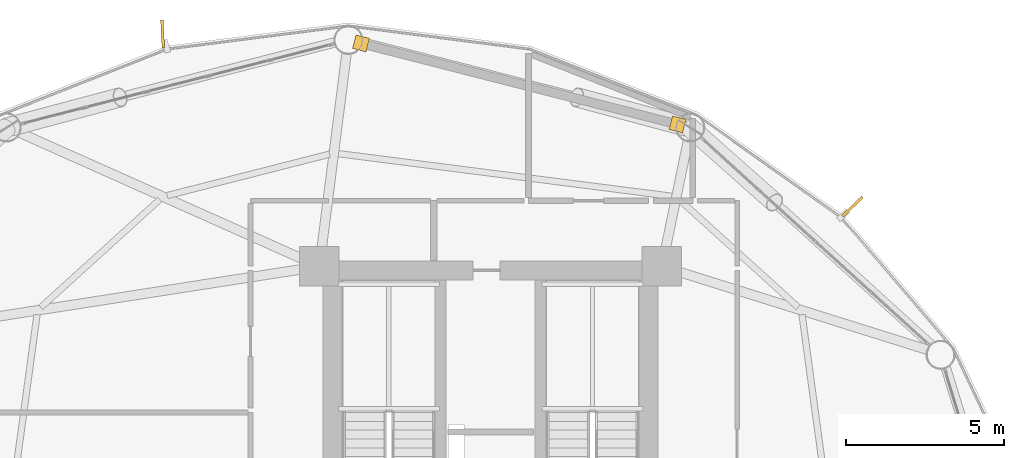
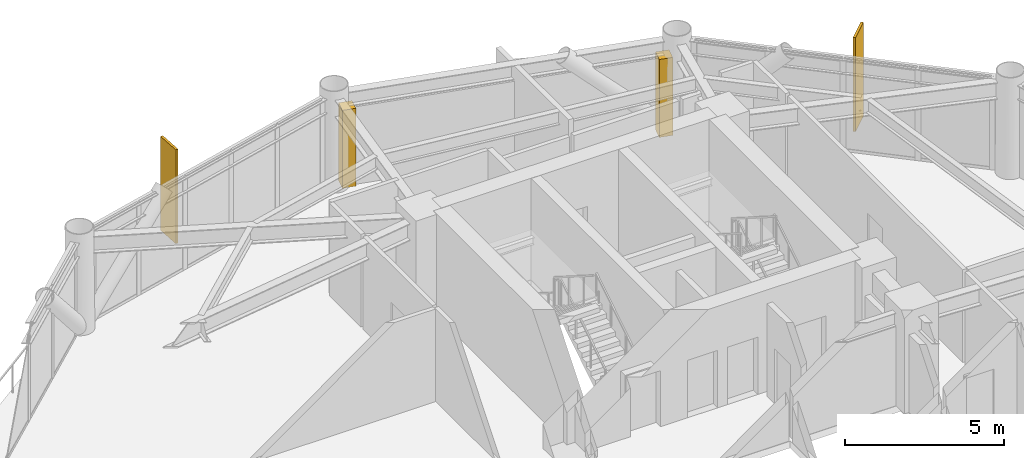
# One storey, part 25 of 25: 2 coverings, 2 shading devices.
"""IFC4 building model written with IfcOpenShell, lengths in metres."""

from ifc_helpers import new_model, si_unit, direction, frame, origin, origin_2d, place, context, subcontext, project, spatial, rectangle, extrude, source, transform, mapped, material, layer, layer_set, type_object, type_shapes, element, save


model = new_model("IFC4")

# Units and contexts
model_context = context("Model", 3, precision=1e-05, world=origin(), true_north=direction((0.0, 1.0)))
body_context = subcontext(model_context, "Body", "Model", "MODEL_VIEW")
ifc_project = project(units=[si_unit("LENGTHUNIT", "METRE"), si_unit("AREAUNIT", "SQUARE_METRE"), si_unit("VOLUMEUNIT", "CUBIC_METRE"), si_unit("PLANEANGLEUNIT", "RADIAN"), si_unit("MASSUNIT", "GRAM", prefix="KILO")], contexts=[model_context])

# Site, building, storey
site_placement = place(None, origin())
site = spatial("IfcSite", under=ifc_project, at=site_placement, CompositionType="ELEMENT")
building_placement = place(site_placement, origin())
building = spatial("IfcBuilding", under=site, at=building_placement, Name="Varnakorn Sky Granary", CompositionType="ELEMENT")
storey_placement = place(building_placement, frame((0.0, 0.0, 74.39990234375)))
storey = spatial("IfcBuildingStorey", under=building, at=storey_placement, Name="L18", CompositionType="ELEMENT", Elevation=74.39990234375)

# Shading devices
ifc_material = material(Name="Anodised Bronze Aluminium Alloy 6063-T6", Category="aluminium")
shading_device_type = type_object("IfcShadingDeviceType", Name="SH-FIN-01", PredefinedType="USERDEFINED", material=ifc_material)
shared_shape_1 = source(origin(), body_context, "Body", "SweptSolid", [
    extrude(rectangle(XDim=0.0849609375, YDim=0.8798828125, at=origin_2d()), origin(), (0.0, 0.0, 1.0), 3.60009765625),
])
type_shapes(shading_device_type, [shared_shape_1])
for number, where, z_axis, x_axis, name in (
    (1, (14.449462890625, 14.51416015625, -0.0400390625), (0.0, 0.0, 1.0), (-0.692229147327, 0.721677772687, 0.0), "Bronze Solar-Tracking Vertical Blade FIN L18-02"),
    (2, (-7.37890625, 19.977783203125, -0.0400390625), (0.0, 0.0, 1.0), (-0.998676684787, -0.051428389654, 0.0), "Bronze Solar-Tracking Vertical Blade FIN L18-04"),
):
    element("IfcShadingDevice", number, at=place(storey_placement, frame(where, z_axis=z_axis, x_axis=x_axis)), inside=storey, type_object=shading_device_type, Name=name, ObjectType="FIN", PredefinedType="USERDEFINED", context=body_context, shape_type="MappedRepresentation", body=[
        mapped(shared_shape_1, transform((0.0, 0.0, 0.0), x_axis=(1.0, 0.0, 0.0), y_axis=(0.0, 1.0, 0.0), z_axis=(0.0, 0.0, 1.0), scale=1.0)),
    ])

# Coverings
ifc_layer = layer(ifc_material, 0.050048828125, Name="Anodised Bronze Aluminium Alloy 6063-T6")
ifc_layer_set = layer_set([ifc_layer], Name="Anodised Bronze Aluminium Alloy 6063-T6")
covering_type = type_object("IfcCoveringType", Name="CV-CLAD-50", PredefinedType="CLADDING", material=ifc_layer_set)
shared_shape_2 = source(origin(), body_context, "Body", "SweptSolid", [
    extrude(rectangle(XDim=0.43994140625, YDim=0.43994140625, at=origin_2d()), origin(), (0.0, 0.0, 1.0), 2.989990234375),
])
type_shapes(covering_type, [shared_shape_2])
for number, where, z_axis, x_axis, name in (
    (3, (-1.100830078125, 19.678955078125, -0.02001953125), (0.0, 0.0, 1.0), (0.968799815159, -0.247844544316, 0.0), "Bronze Corner Pilaster Closure L18-P03-A"),
    (4, (8.914306640625, 17.115966796875, -0.02001953125), (0.0, 0.0, 1.0), (0.968799815159, -0.247844544316, 0.0), "Bronze Corner Pilaster Closure L18-P03-B"),
):
    element("IfcCovering", number, at=place(storey_placement, frame(where, z_axis=z_axis, x_axis=x_axis)), inside=storey, type_object=covering_type, Name=name, PredefinedType="CLADDING", context=body_context, shape_type="MappedRepresentation", body=[
        mapped(shared_shape_2, transform((0.0, 0.0, 0.0), x_axis=(1.0, 0.0, 0.0), y_axis=(0.0, 1.0, 0.0), z_axis=(0.0, 0.0, 1.0), scale=1.0)),
    ])

save(model, "model.ifc")
